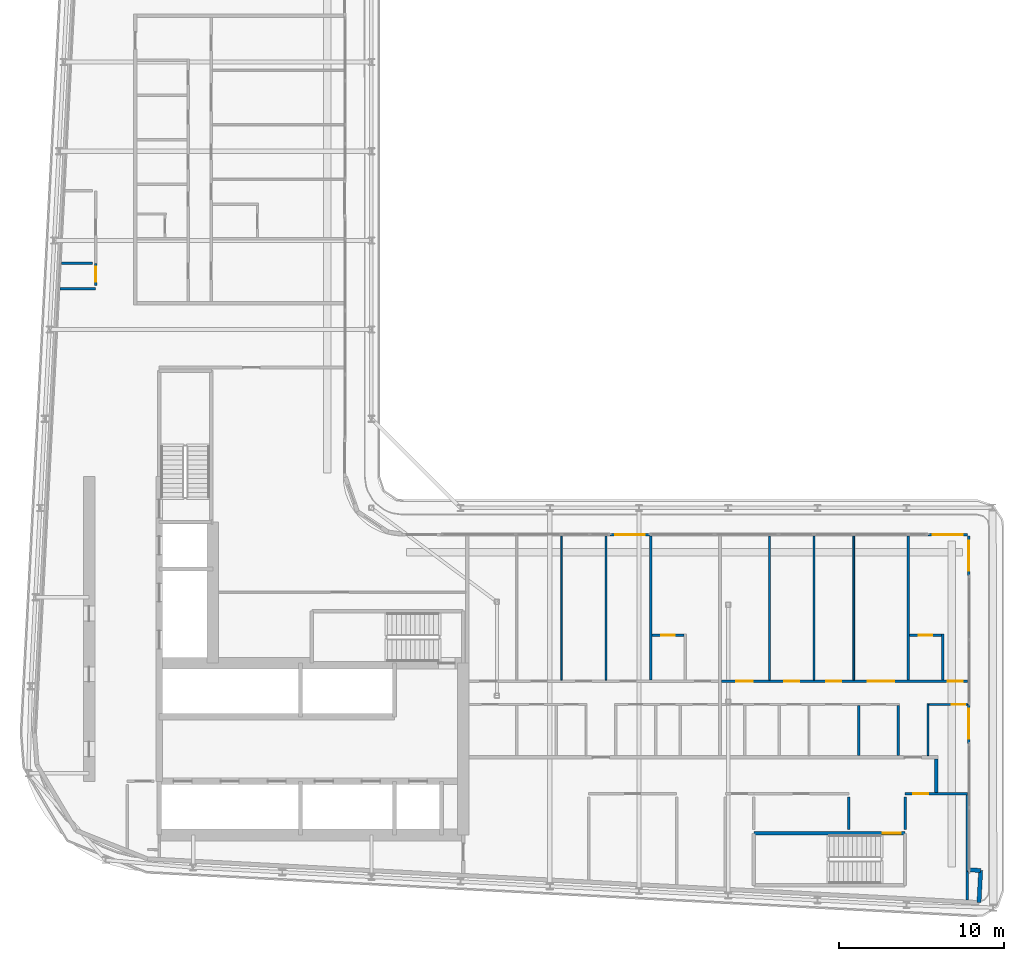
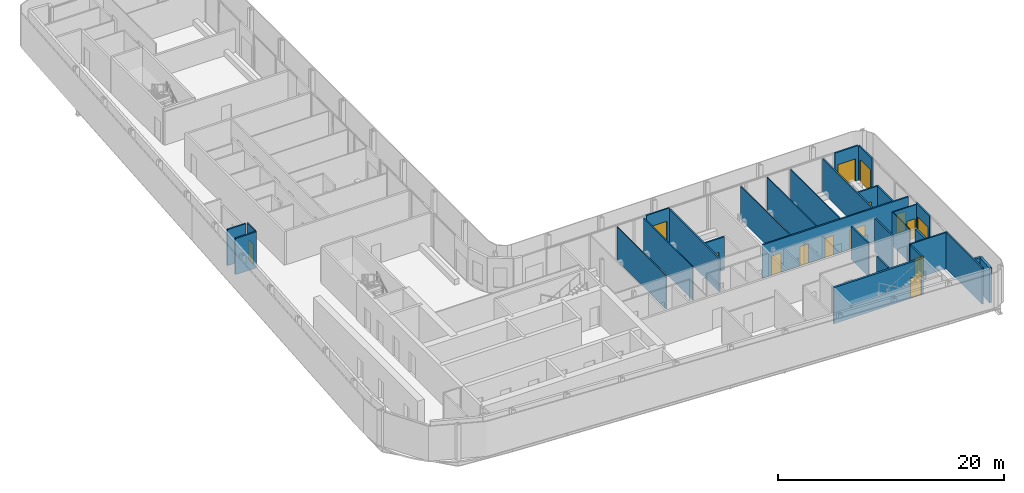
# One storey, part 13 of 23: 30 walls, 15 doors, 15 openings.
"""IFC4 building model written with IfcOpenShell, lengths in metres."""

from ifc_helpers import new_model, si_unit, direction, frame, frame_2d, origin, place, context, subcontext, project, spatial, rectangle, extrude, source, transform, mapped, material, layer, layer_set, type_object, element, fill, save


model = new_model("IFC4")

# Units and contexts
model_context = context("Model", 3, precision=1e-05, world=origin(), true_north=direction((0.0, 1.0)))
body_context = subcontext(model_context, "Body", "Model", "MODEL_VIEW")
ifc_project = project(units=[si_unit("LENGTHUNIT", "METRE"), si_unit("AREAUNIT", "SQUARE_METRE"), si_unit("VOLUMEUNIT", "CUBIC_METRE"), si_unit("PLANEANGLEUNIT", "RADIAN"), si_unit("MASSUNIT", "GRAM", prefix="KILO")], contexts=[model_context])

# Site, building, storey
site_placement = place(None, origin())
site = spatial("IfcSite", under=ifc_project, at=site_placement, CompositionType="ELEMENT")
building_placement = place(site_placement, origin())
building = spatial("IfcBuilding", under=site, at=building_placement, Name="Kheshtan School and Residences Tower", CompositionType="ELEMENT")
storey_placement = place(building_placement, frame((0.0, 0.0, 239.60009765625)))
storey = spatial("IfcBuildingStorey", under=building, at=storey_placement, Name="L56", CompositionType="ELEMENT", Elevation=239.60009765625)

# Walls
ifc_material_1 = material(Name="Gypsum board on steel studs with fire boards", Category="steel")
ifc_layer_1 = layer(ifc_material_1, 0.199951171875)
ifc_layer_set_1 = layer_set([ifc_layer_1], Name="Corridor wall 200")
wall_type_1 = type_object("IfcWallType", Name="Corridor wall 200", PredefinedType="PARTITIONING", material=ifc_layer_set_1)
wall_1_placement = place(storey_placement, frame((81.800048828125, 28.3740234375, 0.0), z_axis=(0.0, 0.0, 1.0), x_axis=(0.0, 1.0, 0.0)))
element("IfcWall", 1, at=wall_1_placement, inside=storey, type_object=wall_type_1, Name="Partition L56-067", PredefinedType="PARTITIONING", context=body_context, shape_type="SweptSolid", body=[
    extrude(rectangle(XDim=2.02587890625, YDim=0.199951171875, at=frame_2d((1.012939453125, 0.0))), origin(), (0.0, 0.0, 1.0), 3.599853515625),
])
ifc_material_2 = material(Name="Concrete C40/50 with ceramic cladding and mineral wool insulation", Category="concrete")
ifc_layer_2 = layer(ifc_material_2, 0.25)
ifc_layer_set_2 = layer_set([ifc_layer_2], Name="External wall 250 ceramic clad")
wall_type_2 = type_object("IfcWallType", Name="External wall 250 ceramic clad", PredefinedType="SOLIDWALL", material=ifc_layer_set_2)
wall_2_placement = place(storey_placement, frame((83.70703125, 23.69189453125, 0.0), z_axis=(0.0, 0.0, 1.0), x_axis=(0.998561284263, -0.053622398031, 0.0)))
element("IfcWall", 2, at=wall_2_placement, inside=storey, type_object=wall_type_2, Name="External wall L56 14", PredefinedType="SOLIDWALL", context=body_context, shape_type="SweptSolid", body=[
    extrude(rectangle(XDim=0.783203125, YDim=0.25, at=frame_2d((0.3916015625, 0.0))), origin(), (0.0, 0.0, 1.0), 3.75),
])
wall_3_placement = place(storey_placement, frame((84.489013671875, 23.64990234375, 0.0), z_axis=(0.0, 0.0, 1.0), x_axis=(-0.052841433274, -0.998602915542, 0.0)))
element("IfcWall", 3, at=wall_3_placement, inside=storey, type_object=wall_type_2, Name="External wall L56 15", PredefinedType="SOLIDWALL", context=body_context, shape_type="SweptSolid", body=[
    extrude(rectangle(XDim=1.94970703125, YDim=0.25, at=frame_2d((0.974853515625, 0.0))), origin(), (0.0, 0.0, 1.0), 3.75),
])

# Wall, opening, door
ifc_material_3 = material(Name="Aluminium frame wall with insulated infill", Category="aluminium")
ifc_layer_3 = layer(ifc_material_3, 0.14990234375)
ifc_layer_set_3 = layer_set([ifc_layer_3], Name="Glazing frame wall 150")
wall_type_3 = type_object("IfcWallType", Name="Glazing frame wall 150", PredefinedType="SOLIDWALL", material=ifc_layer_set_3)
wall_4_placement = place(storey_placement, frame((62.052978515625, 43.97509765625, 0.0), z_axis=(0.0, 0.0, 1.0), x_axis=(1.0, 0.0, 0.0)))
wall_4 = element("IfcWall", 4, at=wall_4_placement, inside=storey, type_object=wall_type_3, Name="Balcony door wall L56 12.2", PredefinedType="SOLIDWALL", context=body_context, shape_type="SweptSolid", body=[
    extrude(rectangle(XDim=2.39990234375, YDim=0.14990234375, at=frame_2d((1.199951171875, 0.0))), origin(), (0.0, 0.0, 1.0), 3.75),
])
opening_1_placement = place(wall_4_placement, frame((0.300048828125, 0.0, 0.0)))
opening_1 = element("IfcOpeningElement", 5, at=opening_1_placement, cuts=wall_4, Name="Opening BD", PredefinedType="OPENING", context=body_context, shape_type="SweptSolid", body=[
    extrude(rectangle(XDim=1.800048828125, YDim=2.39990234375, at=frame_2d((0.89990234375, 1.199951171875))), frame((0.0, 0.0849609375, 0.0), z_axis=(0.0, -1.0, 0.0), x_axis=(1.0, 0.0, 0.0)), (0.0, 0.0, 1.0), 0.169921875),
])
ifc_material_4 = material(Name="Clear low-e glass in thermally broken aluminium frame", Category="aluminium")
door_type_1 = type_object("IfcDoorType", Name="Balcony sliding door", OperationType="SLIDING_TO_LEFT", PredefinedType="DOOR", material=ifc_material_4)
shared_shape_1 = source(origin(), body_context, "Body", "SweptSolid", [
    extrude(rectangle(XDim=1.800048828125, YDim=2.39990234375, at=frame_2d((0.89990234375, 1.199951171875))), frame((0.0, 0.02490234375, 0.0), z_axis=(0.0, -1.0, 0.0), x_axis=(1.0, 0.0, 0.0)), (0.0, 0.0, 1.0), 0.050048828125),
])
door_1_placement = place(opening_1_placement, origin())
door_1 = element("IfcDoor", 6, at=door_1_placement, inside=storey, type_object=door_type_1, Name="Balcony door L56 12.2", OperationType="SLIDING_TO_LEFT", OverallHeight=2.39990234375, OverallWidth=1.800048828125, PredefinedType="DOOR", context=body_context, shape_type="MappedRepresentation", body=[
    mapped(shared_shape_1, transform((0.0, 0.0, 0.0), x_axis=(1.0, 0.0, 0.0), y_axis=(0.0, 1.0, 0.0), z_axis=(0.0, 0.0, 1.0), scale=1.0)),
])
fill(opening_1, door_1)

wall_5_placement = place(storey_placement, frame((81.300048828125, 43.97509765625, 0.0), z_axis=(0.0, 0.0, 1.0), x_axis=(1.0, 0.0, 0.0)))
wall_5 = element("IfcWall", 7, at=wall_5_placement, inside=storey, type_object=wall_type_3, Name="Balcony door wall L56 12.3", PredefinedType="SOLIDWALL", context=body_context, shape_type="SweptSolid", body=[
    extrude(rectangle(XDim=2.39990234375, YDim=0.14990234375, at=frame_2d((1.199951171875, 0.0))), origin(), (0.0, 0.0, 1.0), 3.75),
])
opening_2_placement = place(wall_5_placement, frame((0.300048828125, 0.0, 0.0)))
opening_2 = element("IfcOpeningElement", 8, at=opening_2_placement, cuts=wall_5, Name="Opening BD", PredefinedType="OPENING", context=body_context, shape_type="SweptSolid", body=[
    extrude(rectangle(XDim=1.800048828125, YDim=2.39990234375, at=frame_2d((0.89990234375, 1.199951171875))), frame((0.0, 0.0849609375, 0.0), z_axis=(0.0, -1.0, 0.0), x_axis=(1.0, 0.0, 0.0)), (0.0, 0.0, 1.0), 0.169921875),
])
door_2_placement = place(opening_2_placement, origin())
door_2 = element("IfcDoor", 9, at=door_2_placement, inside=storey, type_object=door_type_1, Name="Balcony door L56 12.3", OperationType="SLIDING_TO_LEFT", OverallHeight=2.39990234375, OverallWidth=1.800048828125, PredefinedType="DOOR", context=body_context, shape_type="MappedRepresentation", body=[
    mapped(shared_shape_1, transform((0.0, 0.0, 0.0), x_axis=(1.0, 0.0, 0.0), y_axis=(0.0, 1.0, 0.0), z_axis=(0.0, 0.0, 1.0), scale=1.0)),
])
fill(opening_2, door_2)

wall_6_placement = place(storey_placement, frame((83.77490234375, 43.89990234375, 0.0), z_axis=(0.0, 0.0, 1.0), x_axis=(0.0, -1.0, 0.0)))
wall_6 = element("IfcWall", 10, at=wall_6_placement, inside=storey, type_object=wall_type_3, Name="Balcony door wall L56 13.1", PredefinedType="SOLIDWALL", context=body_context, shape_type="SweptSolid", body=[
    extrude(rectangle(XDim=2.39990234375, YDim=0.14990234375, at=frame_2d((1.199951171875, 0.0))), origin(), (0.0, 0.0, 1.0), 3.75),
])
opening_3_placement = place(wall_6_placement, frame((0.300048828125, 0.0, 0.0)))
opening_3 = element("IfcOpeningElement", 11, at=opening_3_placement, cuts=wall_6, Name="Opening BD", PredefinedType="OPENING", context=body_context, shape_type="SweptSolid", body=[
    extrude(rectangle(XDim=1.800048828125, YDim=2.39990234375, at=frame_2d((0.89990234375, 1.199951171875))), frame((0.0, 0.0849609375, 0.0), z_axis=(0.0, -1.0, 0.0), x_axis=(1.0, 0.0, 0.0)), (0.0, 0.0, 1.0), 0.169921875),
])
door_3_placement = place(opening_3_placement, origin())
door_3 = element("IfcDoor", 12, at=door_3_placement, inside=storey, type_object=door_type_1, Name="Balcony door L56 13.1", OperationType="SLIDING_TO_LEFT", OverallHeight=2.39990234375, OverallWidth=1.800048828125, PredefinedType="DOOR", context=body_context, shape_type="MappedRepresentation", body=[
    mapped(shared_shape_1, transform((0.0, 0.0, 0.0), x_axis=(1.0, 0.0, 0.0), y_axis=(0.0, 1.0, 0.0), z_axis=(0.0, 0.0, 1.0), scale=1.0)),
])
fill(opening_3, door_3)

wall_7_placement = place(storey_placement, frame((83.77490234375, 33.73291015625, 0.0), z_axis=(0.0, 0.0, 1.0), x_axis=(0.0, -1.0, 0.0)))
wall_7 = element("IfcWall", 13, at=wall_7_placement, inside=storey, type_object=wall_type_3, Name="Balcony door wall L56 13.2", PredefinedType="SOLIDWALL", context=body_context, shape_type="SweptSolid", body=[
    extrude(rectangle(XDim=2.39892578125, YDim=0.14990234375, at=frame_2d((1.199462890625, 0.0))), origin(), (0.0, 0.0, 1.0), 3.75),
])
opening_4_placement = place(wall_7_placement, frame((0.300048828125, 0.0, 0.0)))
opening_4 = element("IfcOpeningElement", 14, at=opening_4_placement, cuts=wall_7, Name="Opening BD", PredefinedType="OPENING", context=body_context, shape_type="SweptSolid", body=[
    extrude(rectangle(XDim=1.800048828125, YDim=2.39990234375, at=frame_2d((0.89990234375, 1.199951171875))), frame((0.0, 0.0849609375, 0.0), z_axis=(0.0, -1.0, 0.0), x_axis=(1.0, 0.0, 0.0)), (0.0, 0.0, 1.0), 0.169921875),
])
door_4_placement = place(opening_4_placement, origin())
door_4 = element("IfcDoor", 15, at=door_4_placement, inside=storey, type_object=door_type_1, Name="Balcony door L56 13.2", OperationType="SLIDING_TO_LEFT", OverallHeight=2.39990234375, OverallWidth=1.800048828125, PredefinedType="DOOR", context=body_context, shape_type="MappedRepresentation", body=[
    mapped(shared_shape_1, transform((0.0, 0.0, 0.0), x_axis=(1.0, 0.0, 0.0), y_axis=(0.0, 1.0, 0.0), z_axis=(0.0, 0.0, 1.0), scale=1.0)),
])
fill(opening_4, door_4)

# Walls
ifc_material_5 = material(Name="Gypsum board on steel studs", Category="steel")
ifc_layer_4 = layer(ifc_material_5, 0.10009765625)
ifc_layer_set_4 = layer_set([ifc_layer_4], Name="Gypsum partition 100")
wall_type_4 = type_object("IfcWallType", Name="Gypsum partition 100", PredefinedType="PARTITIONING", material=ifc_layer_set_4)
for number, where, z_axis, x_axis, name in (
    (16, (59.10009765625, 35.175048828125, 0.0), (0.0, 0.0, 1.0), (0.0, 1.0, 0.0), "Partition L56-042"),
    (17, (61.800048828125, 35.175048828125, 0.0), (0.0, 0.0, 1.0), (0.0, 1.0, 0.0), "Partition L56-044"),
    (18, (71.699951171875, 35.175048828125, 0.0), (0.0, 0.0, 1.0), (0.0, 1.0, 0.0), "Partition L56-056"),
    (19, (74.39990234375, 35.175048828125, 0.0), (0.0, 0.0, 1.0), (0.0, 1.0, 0.0), "Partition L56-059"),
    (20, (76.800048828125, 35.175048828125, 0.0), (0.0, 0.0, 1.0), (0.0, 1.0, 0.0), "Partition L56-060"),
):
    element("IfcWall", number, at=place(storey_placement, frame(where, z_axis=z_axis, x_axis=x_axis)), inside=storey, type_object=wall_type_4, Name=name, PredefinedType="PARTITIONING", context=body_context, shape_type="SweptSolid", body=[
        extrude(rectangle(XDim=8.724853515625, YDim=0.10009765625, at=frame_2d((4.3623046875, 0.0))), origin(), (0.0, 0.0, 1.0), 3.599853515625),
    ])
wall_8_placement = place(storey_placement, frame((81.300048828125, 30.60009765625, 0.0), z_axis=(0.0, 0.0, 1.0), x_axis=(0.0, 1.0, 0.0)))
element("IfcWall", 21, at=wall_8_placement, inside=storey, type_object=wall_type_4, Name="Partition L56-065", PredefinedType="PARTITIONING", context=body_context, shape_type="SweptSolid", body=[
    extrude(rectangle(XDim=3.14990234375, YDim=0.10009765625, at=frame_2d((1.574951171875, 0.0))), origin(), (0.0, 0.0, 1.0), 3.599853515625),
])

# Wall, opening, door
wall_9_placement = place(storey_placement, frame((81.35009765625, 33.699951171875, 0.0), z_axis=(0.0, 0.0, 1.0), x_axis=(1.0, 0.0, 0.0)))
wall_9 = element("IfcWall", 22, at=wall_9_placement, inside=storey, type_object=wall_type_4, Name="Partition L56-066", PredefinedType="PARTITIONING", context=body_context, shape_type="SweptSolid", body=[
    extrude(rectangle(XDim=2.349853515625, YDim=0.10009765625, at=frame_2d((1.1748046875, 0.0))), origin(), (0.0, 0.0, 1.0), 3.599853515625),
])
opening_5_placement = place(wall_9_placement, frame((1.39990234375, 0.0, 0.0)))
opening_5 = element("IfcOpeningElement", 23, at=opening_5_placement, cuts=wall_9, Name="Opening D56-018", PredefinedType="OPENING", context=body_context, shape_type="SweptSolid", body=[
    extrude(rectangle(XDim=0.800048828125, YDim=2.10009765625, at=frame_2d((0.39990234375, 1.050048828125))), frame((0.0, 0.06005859375, 0.0), z_axis=(0.0, -1.0, 0.0), x_axis=(1.0, 0.0, 0.0)), (0.0, 0.0, 1.0), 0.1201171875),
])
ifc_material_6 = material(Name="Veneered timber door leaf", Category="wood")
door_type_2 = type_object("IfcDoorType", Name="Door 800 x 2100", OperationType="SINGLE_SWING_LEFT", PredefinedType="DOOR", material=ifc_material_6)
shared_shape_2 = source(origin(), body_context, "Body", "SweptSolid", [
    extrude(rectangle(XDim=0.800048828125, YDim=2.10009765625, at=frame_2d((0.39990234375, 1.050048828125))), frame((0.0, 0.02490234375, 0.0), z_axis=(0.0, -1.0, 0.0), x_axis=(1.0, 0.0, 0.0)), (0.0, 0.0, 1.0), 0.050048828125),
])
door_5_placement = place(opening_5_placement, origin())
door_5 = element("IfcDoor", 24, at=door_5_placement, inside=storey, type_object=door_type_2, Name="Door D56-018", OperationType="SINGLE_SWING_LEFT", OverallHeight=2.10009765625, OverallWidth=0.800048828125, PredefinedType="DOOR", context=body_context, shape_type="MappedRepresentation", body=[
    mapped(shared_shape_2, transform((0.0, 0.0, 0.0), x_axis=(1.0, 0.0, 0.0), y_axis=(0.0, 1.0, 0.0), z_axis=(0.0, 0.0, 1.0), scale=1.0)),
])
fill(opening_5, door_5)

# Wall
ifc_material_7 = material(Name="Fire-board shaft wall system")
ifc_layer_5 = layer(ifc_material_7, 0.14990234375)
ifc_layer_set_5 = layer_set([ifc_layer_5], Name="Service room wall 150")
wall_type_5 = type_object("IfcWallType", Name="Service room wall 150", PredefinedType="PARTITIONING", material=ifc_layer_set_5)
wall_10_placement = place(storey_placement, frame((28.738037109375, 58.8720703125, 0.0), z_axis=(0.0, 0.0, 1.0), x_axis=(1.0, 0.0, 0.0)))
element("IfcWall", 25, at=wall_10_placement, inside=storey, type_object=wall_type_5, Name="Service room wall", PredefinedType="PARTITIONING", context=body_context, shape_type="SweptSolid", body=[
    extrude(rectangle(XDim=2.161865234375, YDim=0.14990234375, at=frame_2d((1.0810546875, 0.0))), origin(), (0.0, 0.0, 1.0), 3.89990234375),
])

# Wall, opening, door
wall_11_placement = place(storey_placement, frame((30.89990234375, 59.06689453125, 0.0), z_axis=(0.0, 0.0, 1.0), x_axis=(0.0, 1.0, 0.0)))
wall_11 = element("IfcWall", 26, at=wall_11_placement, inside=storey, type_object=wall_type_5, Name="Service room wall", PredefinedType="PARTITIONING", context=body_context, shape_type="SweptSolid", body=[
    extrude(rectangle(XDim=1.34716796875, YDim=0.14990234375, at=frame_2d((0.673583984375, 0.0))), origin(), (0.0, 0.0, 1.0), 3.89990234375),
])
opening_6_placement = place(wall_11_placement, frame((0.22607421875, 0.0, 0.0)))
opening_6 = element("IfcOpeningElement", 27, at=opening_6_placement, cuts=wall_11, Name="Opening SR90", PredefinedType="OPENING", context=body_context, shape_type="SweptSolid", body=[
    extrude(rectangle(XDim=0.89990234375, YDim=2.199951171875, at=frame_2d((0.449951171875, 1.10009765625))), frame((0.0, 0.0849609375, 0.0), z_axis=(0.0, -1.0, 0.0), x_axis=(1.0, 0.0, 0.0)), (0.0, 0.0, 1.0), 0.169921875),
])
ifc_material_8 = material(Name="Steel door leaf, galvanised", Category="steel")
door_type_3 = type_object("IfcDoorType", Name="Service room door 900 steel 90 min", OperationType="SINGLE_SWING_LEFT", PredefinedType="DOOR", material=ifc_material_8)
shared_shape_3 = source(origin(), body_context, "Body", "SweptSolid", [
    extrude(rectangle(XDim=0.89990234375, YDim=2.199951171875, at=frame_2d((0.449951171875, 1.10009765625))), frame((0.0, 0.02490234375, 0.0), z_axis=(0.0, -1.0, 0.0), x_axis=(1.0, 0.0, 0.0)), (0.0, 0.0, 1.0), 0.050048828125),
])
door_6_placement = place(opening_6_placement, origin())
door_6 = element("IfcDoor", 28, at=door_6_placement, inside=storey, type_object=door_type_3, Name="Service room door", OperationType="SINGLE_SWING_LEFT", OverallHeight=2.199951171875, OverallWidth=0.89990234375, PredefinedType="DOOR", context=body_context, shape_type="MappedRepresentation", body=[
    mapped(shared_shape_3, transform((0.0, 0.0, 0.0), x_axis=(1.0, 0.0, 0.0), y_axis=(0.0, 1.0, 0.0), z_axis=(0.0, 0.0, 1.0), scale=1.0)),
])
fill(opening_6, door_6)

# Walls
wall_12_placement = place(storey_placement, frame((28.820068359375, 60.4140625, 0.0), z_axis=(0.0, 0.0, 1.0), x_axis=(1.0, 0.0, 0.0)))
element("IfcWall", 29, at=wall_12_placement, inside=storey, type_object=wall_type_5, Name="Service room wall", PredefinedType="PARTITIONING", context=body_context, shape_type="SweptSolid", body=[
    extrude(rectangle(XDim=1.885009765625, YDim=0.14990234375, at=frame_2d((0.9423828125, 0.0))), origin(), (0.0, 0.0, 1.0), 3.89990234375),
])
wall_13_placement = place(storey_placement, frame((76.510009765625, 26.1201171875, 0.0), z_axis=(0.0, 0.0, 1.0), x_axis=(0.0, 1.0, 0.0)))
element("IfcWall", 30, at=wall_13_placement, inside=storey, type_object=wall_type_5, Name="Service room wall", PredefinedType="PARTITIONING", context=body_context, shape_type="SweptSolid", body=[
    extrude(rectangle(XDim=1.98486328125, YDim=0.14990234375, at=frame_2d((0.992431640625, 0.0))), origin(), (0.0, 0.0, 1.0), 3.89990234375),
])
wall_14_placement = place(storey_placement, frame((83.669921875, 21.867919921875, 0.0), z_axis=(0.0, 0.0, 1.0), x_axis=(0.0, 1.0, 0.0)))
element("IfcWall", 31, at=wall_14_placement, inside=storey, type_object=wall_type_5, Name="Service room wall", PredefinedType="PARTITIONING", context=body_context, shape_type="SweptSolid", body=[
    extrude(rectangle(XDim=6.43212890625, YDim=0.14990234375, at=frame_2d((3.216064453125, 0.0))), origin(), (0.0, 0.0, 1.0), 3.89990234375),
])

# Wall, opening, door
wall_15_placement = place(storey_placement, frame((79.909912109375, 28.300048828125, 0.0), z_axis=(0.0, 0.0, 1.0), x_axis=(1.0, 0.0, 0.0)))
wall_15 = element("IfcWall", 32, at=wall_15_placement, inside=storey, type_object=wall_type_5, Name="Service room wall", PredefinedType="PARTITIONING", context=body_context, shape_type="SweptSolid", body=[
    extrude(rectangle(XDim=3.7880859375, YDim=0.14990234375, at=frame_2d((1.89404296875, 0.0))), origin(), (0.0, 0.0, 1.0), 3.89990234375),
])
opening_7_placement = place(wall_15_placement, frame((0.4951171875, 0.0, 0.0)))
opening_7 = element("IfcOpeningElement", 33, at=opening_7_placement, cuts=wall_15, Name="Opening SR90", PredefinedType="OPENING", context=body_context, shape_type="SweptSolid", body=[
    extrude(rectangle(XDim=0.89990234375, YDim=2.199951171875, at=frame_2d((0.449951171875, 1.10009765625))), frame((0.0, 0.0849609375, 0.0), z_axis=(0.0, -1.0, 0.0), x_axis=(1.0, 0.0, 0.0)), (0.0, 0.0, 1.0), 0.169921875),
])
door_7_placement = place(opening_7_placement, origin())
door_7 = element("IfcDoor", 34, at=door_7_placement, inside=storey, type_object=door_type_3, Name="Service room door", OperationType="SINGLE_SWING_RIGHT", OverallHeight=2.199951171875, OverallWidth=0.89990234375, PredefinedType="DOOR", context=body_context, shape_type="MappedRepresentation", body=[
    mapped(shared_shape_3, transform((0.0, 0.0, 0.0), x_axis=(1.0, 0.0, 0.0), y_axis=(0.0, 1.0, 0.0), z_axis=(0.0, 0.0, 1.0), scale=1.0)),
])
fill(opening_7, door_7)

# Wall
wall_16_placement = place(storey_placement, frame((79.909912109375, 26.1201171875, 0.0), z_axis=(0.0, 0.0, 1.0), x_axis=(0.0, 1.0, 0.0)))
element("IfcWall", 35, at=wall_16_placement, inside=storey, type_object=wall_type_5, Name="Service room wall", PredefinedType="PARTITIONING", context=body_context, shape_type="SweptSolid", body=[
    extrude(rectangle(XDim=1.98486328125, YDim=0.14990234375, at=frame_2d((0.992431640625, 0.0))), origin(), (0.0, 0.0, 1.0), 3.89990234375),
])

# Wall, opening, door
ifc_material_9 = material(Name="Concrete C40/50", Category="concrete")
ifc_layer_6 = layer(ifc_material_9, 0.199951171875)
ifc_layer_set_6 = layer_set([ifc_layer_6], Name="Stair enclosure wall 200 Concrete C40/50")
wall_type_6 = type_object("IfcWallType", Name="Stair enclosure wall 200 Concrete C40/50", PredefinedType="SHEAR", material=ifc_layer_set_6)
wall_17_placement = place(storey_placement, frame((70.75, 25.89990234375, 0.0), z_axis=(0.0, 0.0, 1.0), x_axis=(1.0, 0.0, 0.0)))
wall_17 = element("IfcWall", 36, at=wall_17_placement, inside=storey, type_object=wall_type_6, Name="Stair enclosure wall ST5", PredefinedType="SHEAR", context=body_context, shape_type="SweptSolid", body=[
    extrude(rectangle(XDim=9.159912109375, YDim=0.199951171875, at=frame_2d((4.580078125, 0.0))), origin(), (0.0, 0.0, 1.0), 3.89990234375),
])
opening_8_placement = place(wall_17_placement, frame((7.81005859375, 0.0, 0.0)))
opening_8 = element("IfcOpeningElement", 37, at=opening_8_placement, cuts=wall_17, Name="Opening ST5D", PredefinedType="OPENING", context=body_context, shape_type="SweptSolid", body=[
    extrude(rectangle(XDim=1.10009765625, YDim=2.199951171875, at=frame_2d((0.550048828125, 1.10009765625))), frame((0.0, 0.10986328125, 0.0), z_axis=(0.0, -1.0, 0.0), x_axis=(1.0, 0.0, 0.0)), (0.0, 0.0, 1.0), 0.219970703125),
])
door_type_4 = type_object("IfcDoorType", Name="Stair door 1100 steel 90 min", OperationType="SINGLE_SWING_LEFT", PredefinedType="DOOR", material=ifc_material_8)
shared_shape_4 = source(origin(), body_context, "Body", "SweptSolid", [
    extrude(rectangle(XDim=1.10009765625, YDim=2.199951171875, at=frame_2d((0.550048828125, 1.10009765625))), frame((0.0, 0.02490234375, 0.0), z_axis=(0.0, -1.0, 0.0), x_axis=(1.0, 0.0, 0.0)), (0.0, 0.0, 1.0), 0.050048828125),
])
door_8_placement = place(opening_8_placement, origin())
door_8 = element("IfcDoor", 38, at=door_8_placement, inside=storey, type_object=door_type_4, Name="Stair ST5 door", OperationType="SINGLE_SWING_LEFT", OverallHeight=2.199951171875, OverallWidth=1.10009765625, PredefinedType="DOOR", context=body_context, shape_type="MappedRepresentation", body=[
    mapped(shared_shape_4, transform((0.0, 0.0, 0.0), x_axis=(1.0, 0.0, 0.0), y_axis=(0.0, 1.0, 0.0), z_axis=(0.0, 0.0, 1.0), scale=1.0)),
])
fill(opening_8, door_8)

# Wall
ifc_material_10 = material(Name="Moisture-resistant gypsum board on steel studs", Category="steel")
ifc_layer_7 = layer(ifc_material_10, 0.14990234375)
ifc_layer_set_7 = layer_set([ifc_layer_7], Name="Wet-room partition 150")
wall_type_7 = type_object("IfcWallType", Name="Wet-room partition 150", PredefinedType="PARTITIONING", material=ifc_layer_set_7)
wall_18_placement = place(storey_placement, frame((64.5, 35.175048828125, 0.0), z_axis=(0.0, 0.0, 1.0), x_axis=(0.0, 1.0, 0.0)))
element("IfcWall", 39, at=wall_18_placement, inside=storey, type_object=wall_type_7, Name="Partition L56-047", PredefinedType="PARTITIONING", context=body_context, shape_type="SweptSolid", body=[
    extrude(rectangle(XDim=8.724853515625, YDim=0.14990234375, at=frame_2d((4.3623046875, 0.0))), origin(), (0.0, 0.0, 1.0), 3.599853515625),
])

# Wall, opening, door
wall_19_placement = place(storey_placement, frame((64.574951171875, 37.89990234375, 0.0), z_axis=(0.0, 0.0, 1.0), x_axis=(1.0, 0.0, 0.0)))
wall_19 = element("IfcWall", 40, at=wall_19_placement, inside=storey, type_object=wall_type_7, Name="Partition L56-048", PredefinedType="PARTITIONING", context=body_context, shape_type="SweptSolid", body=[
    extrude(rectangle(XDim=1.949951171875, YDim=0.14990234375, at=frame_2d((0.97509765625, 0.0))), origin(), (0.0, 0.0, 1.0), 3.599853515625),
])
opening_9_placement = place(wall_19_placement, frame((0.574951171875, 0.0, 0.0)))
opening_9 = element("IfcOpeningElement", 41, at=opening_9_placement, cuts=wall_19, Name="Opening D56-006", PredefinedType="OPENING", context=body_context, shape_type="SweptSolid", body=[
    extrude(rectangle(XDim=0.800048828125, YDim=2.10009765625, at=frame_2d((0.39990234375, 1.050048828125))), frame((0.0, 0.0849609375, 0.0), z_axis=(0.0, -1.0, 0.0), x_axis=(1.0, 0.0, 0.0)), (0.0, 0.0, 1.0), 0.169921875),
])
door_9_placement = place(opening_9_placement, origin())
door_9 = element("IfcDoor", 42, at=door_9_placement, inside=storey, type_object=door_type_2, Name="Door D56-006", OperationType="SINGLE_SWING_LEFT", OverallHeight=2.10009765625, OverallWidth=0.800048828125, PredefinedType="DOOR", context=body_context, shape_type="MappedRepresentation", body=[
    mapped(shared_shape_2, transform((0.0, 0.0, 0.0), x_axis=(1.0, 0.0, 0.0), y_axis=(0.0, 1.0, 0.0), z_axis=(0.0, 0.0, 1.0), scale=1.0)),
])
fill(opening_9, door_9)

# Wall, openings, doors
wall_20_placement = place(storey_placement, frame((68.800048828125, 35.10009765625, 0.0), z_axis=(0.0, 0.0, 1.0), x_axis=(1.0, 0.0, 0.0)))
wall_20 = element("IfcWall", 43, at=wall_20_placement, inside=storey, type_object=wall_type_7, Name="Partition L56-054", PredefinedType="PARTITIONING", context=body_context, shape_type="SweptSolid", body=[
    extrude(rectangle(XDim=14.89990234375, YDim=0.14990234375, at=frame_2d((7.449951171875, 0.0))), origin(), (0.0, 0.0, 1.0), 3.599853515625),
])
opening_10_placement = place(wall_20_placement, frame((3.800048828125, 0.0, 0.0)))
opening_10 = element("IfcOpeningElement", 44, at=opening_10_placement, cuts=wall_20, Name="Opening D56-016", PredefinedType="OPENING", context=body_context, shape_type="SweptSolid", body=[
    extrude(rectangle(XDim=0.89990234375, YDim=2.10009765625, at=frame_2d((0.449951171875, 1.050048828125))), frame((0.0, 0.0849609375, 0.0), z_axis=(0.0, -1.0, 0.0), x_axis=(1.0, 0.0, 0.0)), (0.0, 0.0, 1.0), 0.169921875),
])
opening_11_placement = place(wall_20_placement, frame((6.35009765625, 0.0, 0.0)))
opening_11 = element("IfcOpeningElement", 45, at=opening_11_placement, cuts=wall_20, Name="Opening D56-017", PredefinedType="OPENING", context=body_context, shape_type="SweptSolid", body=[
    extrude(rectangle(XDim=0.89990234375, YDim=2.10009765625, at=frame_2d((0.449951171875, 1.050048828125))), frame((0.0, 0.0849609375, 0.0), z_axis=(0.0, -1.0, 0.0), x_axis=(1.0, 0.0, 0.0)), (0.0, 0.0, 1.0), 0.169921875),
])
opening_12_placement = place(wall_20_placement, frame((0.89990234375, 0.0, 0.0)))
opening_12 = element("IfcOpeningElement", 46, at=opening_12_placement, cuts=wall_20, Name="Opening D56-022", PredefinedType="OPENING", context=body_context, shape_type="SweptSolid", body=[
    extrude(rectangle(XDim=1.0, YDim=2.10009765625, at=frame_2d((0.5, 1.050048828125))), frame((0.0, 0.0849609375, 0.0), z_axis=(0.0, -1.0, 0.0), x_axis=(1.0, 0.0, 0.0)), (0.0, 0.0, 1.0), 0.169921875),
])
opening_13_placement = place(wall_20_placement, frame((8.85009765625, 0.0, 0.0)))
opening_13 = element("IfcOpeningElement", 47, at=opening_13_placement, cuts=wall_20, Name="Opening D56-023", PredefinedType="OPENING", context=body_context, shape_type="SweptSolid", body=[
    extrude(rectangle(XDim=1.60009765625, YDim=2.10009765625, at=frame_2d((0.800048828125, 1.050048828125))), frame((0.0, 0.0849609375, 0.0), z_axis=(0.0, -1.0, 0.0), x_axis=(1.0, 0.0, 0.0)), (0.0, 0.0, 1.0), 0.169921875),
])
opening_14_placement = place(wall_20_placement, frame((13.699951171875, 0.0, 0.0)))
opening_14 = element("IfcOpeningElement", 48, at=opening_14_placement, cuts=wall_20, Name="Opening D56-024", PredefinedType="OPENING", context=body_context, shape_type="SweptSolid", body=[
    extrude(rectangle(XDim=0.89990234375, YDim=2.10009765625, at=frame_2d((0.449951171875, 1.050048828125))), frame((0.0, 0.0849609375, 0.0), z_axis=(0.0, -1.0, 0.0), x_axis=(1.0, 0.0, 0.0)), (0.0, 0.0, 1.0), 0.169921875),
])
door_type_5 = type_object("IfcDoorType", Name="Door 1000 x 2100", OperationType="SINGLE_SWING_LEFT", PredefinedType="DOOR", material=ifc_material_6)
shared_shape_5 = source(origin(), body_context, "Body", "SweptSolid", [
    extrude(rectangle(XDim=1.0, YDim=2.10009765625, at=frame_2d((0.5, 1.050048828125))), frame((0.0, 0.02490234375, 0.0), z_axis=(0.0, -1.0, 0.0), x_axis=(1.0, 0.0, 0.0)), (0.0, 0.0, 1.0), 0.050048828125),
])
door_10_placement = place(opening_12_placement, origin())
door_10 = element("IfcDoor", 49, at=door_10_placement, inside=storey, type_object=door_type_5, Name="Door D56-022", OperationType="SINGLE_SWING_LEFT", OverallHeight=2.10009765625, OverallWidth=1.0, PredefinedType="DOOR", context=body_context, shape_type="MappedRepresentation", body=[
    mapped(shared_shape_5, transform((0.0, 0.0, 0.0), x_axis=(1.0, 0.0, 0.0), y_axis=(0.0, 1.0, 0.0), z_axis=(0.0, 0.0, 1.0), scale=1.0)),
])
fill(opening_12, door_10)
door_type_6 = type_object("IfcDoorType", Name="Door 900 x 2100", OperationType="SINGLE_SWING_LEFT", PredefinedType="DOOR", material=ifc_material_6)
shared_shape_6 = source(origin(), body_context, "Body", "SweptSolid", [
    extrude(rectangle(XDim=0.89990234375, YDim=2.10009765625, at=frame_2d((0.449951171875, 1.050048828125))), frame((0.0, 0.02490234375, 0.0), z_axis=(0.0, -1.0, 0.0), x_axis=(1.0, 0.0, 0.0)), (0.0, 0.0, 1.0), 0.050048828125),
])
door_11_placement = place(opening_10_placement, origin())
door_11 = element("IfcDoor", 50, at=door_11_placement, inside=storey, type_object=door_type_6, Name="Door D56-016", OperationType="SINGLE_SWING_RIGHT", OverallHeight=2.10009765625, OverallWidth=0.89990234375, PredefinedType="DOOR", context=body_context, shape_type="MappedRepresentation", body=[
    mapped(shared_shape_6, transform((0.0, 0.0, 0.0), x_axis=(1.0, 0.0, 0.0), y_axis=(0.0, 1.0, 0.0), z_axis=(0.0, 0.0, 1.0), scale=1.0)),
])
fill(opening_10, door_11)
door_12_placement = place(opening_11_placement, origin())
door_12 = element("IfcDoor", 51, at=door_12_placement, inside=storey, type_object=door_type_6, Name="Door D56-017", OperationType="SINGLE_SWING_RIGHT", OverallHeight=2.10009765625, OverallWidth=0.89990234375, PredefinedType="DOOR", context=body_context, shape_type="MappedRepresentation", body=[
    mapped(shared_shape_6, transform((0.0, 0.0, 0.0), x_axis=(1.0, 0.0, 0.0), y_axis=(0.0, 1.0, 0.0), z_axis=(0.0, 0.0, 1.0), scale=1.0)),
])
fill(opening_11, door_12)
door_13_placement = place(opening_14_placement, origin())
door_13 = element("IfcDoor", 52, at=door_13_placement, inside=storey, type_object=door_type_6, Name="Door D56-024", OperationType="SINGLE_SWING_LEFT", OverallHeight=2.10009765625, OverallWidth=0.89990234375, PredefinedType="DOOR", context=body_context, shape_type="MappedRepresentation", body=[
    mapped(shared_shape_6, transform((0.0, 0.0, 0.0), x_axis=(1.0, 0.0, 0.0), y_axis=(0.0, 1.0, 0.0), z_axis=(0.0, 0.0, 1.0), scale=1.0)),
])
fill(opening_14, door_13)
door_type_7 = type_object("IfcDoorType", Name="Double door 1600 x 2100", OperationType="DOUBLE_DOOR_SINGLE_SWING", PredefinedType="DOOR", material=ifc_material_6)
shared_shape_7 = source(origin(), body_context, "Body", "SweptSolid", [
    extrude(rectangle(XDim=1.60009765625, YDim=2.10009765625, at=frame_2d((0.800048828125, 1.050048828125))), frame((0.0, 0.02490234375, 0.0), z_axis=(0.0, -1.0, 0.0), x_axis=(1.0, 0.0, 0.0)), (0.0, 0.0, 1.0), 0.050048828125),
])
door_14_placement = place(opening_13_placement, origin())
door_14 = element("IfcDoor", 53, at=door_14_placement, inside=storey, type_object=door_type_7, Name="Door D56-023", OperationType="DOUBLE_DOOR_SINGLE_SWING", OverallHeight=2.10009765625, OverallWidth=1.60009765625, PredefinedType="DOOR", context=body_context, shape_type="MappedRepresentation", body=[
    mapped(shared_shape_7, transform((0.0, 0.0, 0.0), x_axis=(1.0, 0.0, 0.0), y_axis=(0.0, 1.0, 0.0), z_axis=(0.0, 0.0, 1.0), scale=1.0)),
])
fill(opening_13, door_14)

# Walls
for number, where, z_axis, x_axis, name in (
    (54, (77.10009765625, 30.60009765625, 0.0), (0.0, 0.0, 1.0), (0.0, 1.0, 0.0), "Partition L56-061"),
    (55, (79.5, 30.60009765625, 0.0), (0.0, 0.0, 1.0), (0.0, 1.0, 0.0), "Partition L56-062"),
):
    element("IfcWall", number, at=place(storey_placement, frame(where, z_axis=z_axis, x_axis=x_axis)), inside=storey, type_object=wall_type_7, Name=name, PredefinedType="PARTITIONING", context=body_context, shape_type="SweptSolid", body=[
        extrude(rectangle(XDim=3.02490234375, YDim=0.14990234375, at=frame_2d((1.512451171875, 0.0))), origin(), (0.0, 0.0, 1.0), 3.599853515625),
    ])
wall_21_placement = place(storey_placement, frame((80.10009765625, 35.175048828125, 0.0), z_axis=(0.0, 0.0, 1.0), x_axis=(0.0, 1.0, 0.0)))
element("IfcWall", 56, at=wall_21_placement, inside=storey, type_object=wall_type_7, Name="Partition L56-063", PredefinedType="PARTITIONING", context=body_context, shape_type="SweptSolid", body=[
    extrude(rectangle(XDim=8.724853515625, YDim=0.14990234375, at=frame_2d((4.3623046875, 0.0))), origin(), (0.0, 0.0, 1.0), 3.599853515625),
])

# Wall, opening, door
wall_22_placement = place(storey_placement, frame((80.175048828125, 37.89990234375, 0.0), z_axis=(0.0, 0.0, 1.0), x_axis=(1.0, 0.0, 0.0)))
wall_22 = element("IfcWall", 57, at=wall_22_placement, inside=storey, type_object=wall_type_7, Name="Partition L56-064", PredefinedType="PARTITIONING", context=body_context, shape_type="SweptSolid", body=[
    extrude(rectangle(XDim=1.949951171875, YDim=0.14990234375, at=frame_2d((0.97509765625, 0.0))), origin(), (0.0, 0.0, 1.0), 3.599853515625),
])
opening_15_placement = place(wall_22_placement, frame((0.574951171875, 0.0, 0.0)))
opening_15 = element("IfcOpeningElement", 58, at=opening_15_placement, cuts=wall_22, Name="Opening D56-019", PredefinedType="OPENING", context=body_context, shape_type="SweptSolid", body=[
    extrude(rectangle(XDim=0.800048828125, YDim=2.10009765625, at=frame_2d((0.39990234375, 1.050048828125))), frame((0.0, 0.0849609375, 0.0), z_axis=(0.0, -1.0, 0.0), x_axis=(1.0, 0.0, 0.0)), (0.0, 0.0, 1.0), 0.169921875),
])
door_15_placement = place(opening_15_placement, origin())
door_15 = element("IfcDoor", 59, at=door_15_placement, inside=storey, type_object=door_type_2, Name="Door D56-019", OperationType="SINGLE_SWING_LEFT", OverallHeight=2.10009765625, OverallWidth=0.800048828125, PredefinedType="DOOR", context=body_context, shape_type="MappedRepresentation", body=[
    mapped(shared_shape_2, transform((0.0, 0.0, 0.0), x_axis=(1.0, 0.0, 0.0), y_axis=(0.0, 1.0, 0.0), z_axis=(0.0, 0.0, 1.0), scale=1.0)),
])
fill(opening_15, door_15)

# Wall
wall_23_placement = place(storey_placement, frame((82.199951171875, 35.175048828125, 0.0), z_axis=(0.0, 0.0, 1.0), x_axis=(0.0, 1.0, 0.0)))
element("IfcWall", 60, at=wall_23_placement, inside=storey, type_object=wall_type_7, Name="Partition L56-068", PredefinedType="PARTITIONING", context=body_context, shape_type="SweptSolid", body=[
    extrude(rectangle(XDim=2.800048828125, YDim=0.14990234375, at=frame_2d((1.39990234375, 0.0))), origin(), (0.0, 0.0, 1.0), 3.599853515625),
])

save(model, "model.ifc")
